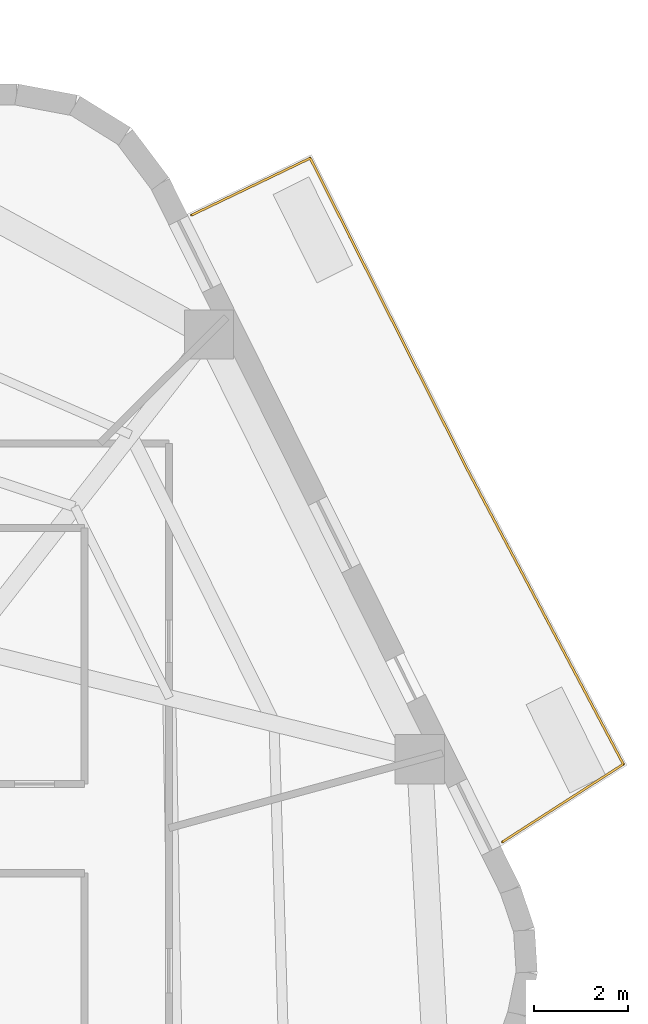
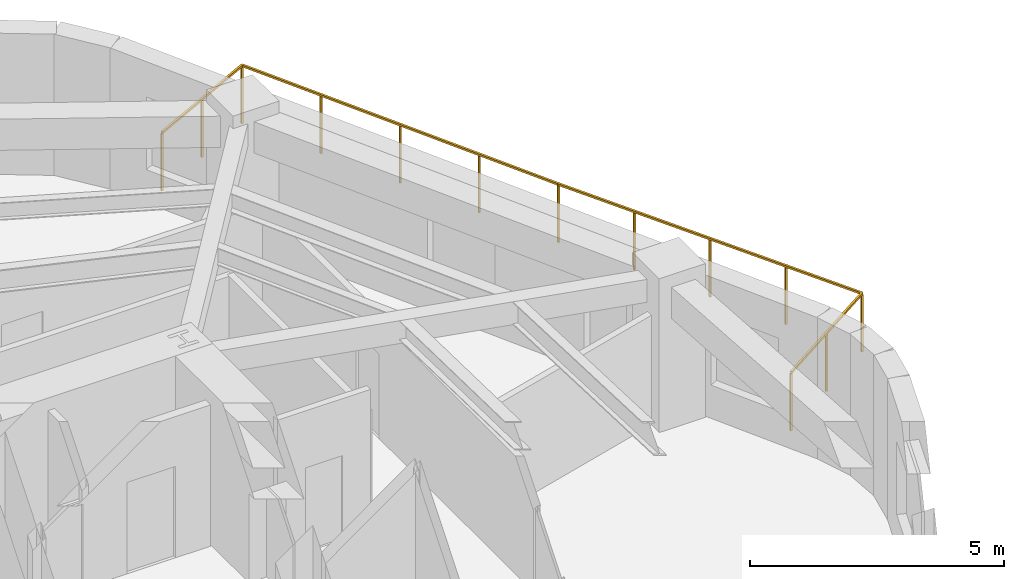
# One storey, part 10 of 10: 1 railing.
"""IFC4 building model written with IfcOpenShell, lengths in metres."""

from ifc_helpers import new_model, si_unit, direction, frame, origin, origin_2d, place, context, subcontext, project, spatial, rectangle, extrude, material, layer, layer_set, type_object, element, save


model = new_model("IFC4")

# Units and contexts
model_context = context("Model", 3, precision=1e-05, world=origin(), true_north=direction((0.0, 1.0)))
body_context = subcontext(model_context, "Body", "Model", "MODEL_VIEW")
ifc_project = project(units=[si_unit("LENGTHUNIT", "METRE"), si_unit("AREAUNIT", "SQUARE_METRE"), si_unit("VOLUMEUNIT", "CUBIC_METRE"), si_unit("PLANEANGLEUNIT", "RADIAN"), si_unit("MASSUNIT", "GRAM", prefix="KILO")], contexts=[model_context])

# Site, building, storey
site_placement = place(None, origin())
site = spatial("IfcSite", under=ifc_project, at=site_placement, CompositionType="ELEMENT")
building_placement = place(site_placement, origin())
building = spatial("IfcBuilding", under=site, at=building_placement, Name="Kilnhurst Terrace Hotel", CompositionType="ELEMENT")
storey_placement = place(building_placement, frame((0.0, 0.0, 155.39990234375)))
storey = spatial("IfcBuildingStorey", under=building, at=storey_placement, Name="L38", CompositionType="ELEMENT", Elevation=155.39990234375)

# Railing
ifc_material = material(Name="Laminated SentryGlas and Stainless Steel AISI 316L Balustrade", Category="steel")
ifc_layer = layer(ifc_material, 0.070068359375, Name="Laminated SentryGlas and Stainless Steel AISI 316L Balustrade")
ifc_layer_set = layer_set([ifc_layer], Name="Laminated SentryGlas and Stainless Steel AISI 316L Balustrade")
railing_type = type_object("IfcRailingType", Name="RLG-BAL-1420", PredefinedType="BALUSTRADE", material=ifc_layer_set)
railing_placement = place(storey_placement, frame((13.83544921875, 16.709716796875, 0.0)))
element("IfcRailing", 1, at=railing_placement, inside=storey, type_object=railing_type, Name="L38 Exterior Terrace Guardrail BAL-L1A.1", PredefinedType="BALUSTRADE", context=body_context, shape_type="SweptSolid", body=[
    extrude(rectangle(XDim=0.048095703125, YDim=0.048095703125, at=origin_2d()), frame((0.0, 0.0, 1.39599609375), z_axis=(0.901469931109, 0.43284173009, 0.0), x_axis=(-0.43284173009, 0.901469931109, 0.0)), (0.0, 0.0, 1.0), 2.797119140625),
    extrude(rectangle(XDim=0.048095703125, YDim=0.048095703125, at=origin_2d()), frame((2.521484375, 1.210693359375, 1.39599609375), z_axis=(0.450616671131, -0.892717545307, 0.0), x_axis=(0.892717545307, 0.450616671131, 0.0)), (0.0, 0.0, 1.0), 7.453857421875),
    extrude(rectangle(XDim=0.048095703125, YDim=0.048095703125, at=origin_2d()), frame((5.88037109375, -5.443603515625, 1.39599609375), z_axis=(0.4472135955, -0.894427191, 0.0), x_axis=(0.894427191, 0.4472135955, 0.0)), (0.0, 0.0, 1.0), 0.0009765625),
    extrude(rectangle(XDim=0.048095703125, YDim=0.048095703125, at=origin_2d()), frame((5.880859375, -5.444580078125, 1.39599609375), z_axis=(0.46789407085, -0.883784554325, 0.0), x_axis=(0.883784554325, 0.46789407085, 0.0)), (0.0, 0.0, 1.0), 7.0654296875),
    extrude(rectangle(XDim=0.048095703125, YDim=0.048095703125, at=origin_2d()), frame((9.186767578125, -11.68896484375, 1.39599609375), z_axis=(-0.841139546062, -0.540818143233, 0.0), x_axis=(0.540818143233, -0.841139546062, 0.0)), (0.0, 0.0, 1.0), 3.056640625),
    extrude(rectangle(XDim=0.0419921875, YDim=0.0419921875, at=origin_2d()), origin(), (0.0, 0.0, 1.0), 1.371826171875),
    extrude(rectangle(XDim=0.0419921875, YDim=0.0419921875, at=origin_2d()), frame((1.2607421875, 0.60546875, 0.0)), (0.0, 0.0, 1.0), 1.371826171875),
    extrude(rectangle(XDim=0.0419921875, YDim=0.0419921875, at=origin_2d()), frame((2.521484375, 1.210693359375, 0.0)), (0.0, 0.0, 1.0), 1.371826171875),
    extrude(rectangle(XDim=0.0419921875, YDim=0.0419921875, at=origin_2d()), frame((3.361328125, -0.452880859375, 0.0)), (0.0, 0.0, 1.0), 1.371826171875),
    extrude(rectangle(XDim=0.0419921875, YDim=0.0419921875, at=origin_2d()), frame((4.200927734375, -2.116455078125, 0.0)), (0.0, 0.0, 1.0), 1.371826171875),
    extrude(rectangle(XDim=0.0419921875, YDim=0.0419921875, at=origin_2d()), frame((5.04052734375, -3.780029296875, 0.0)), (0.0, 0.0, 1.0), 1.371826171875),
    extrude(rectangle(XDim=0.0419921875, YDim=0.0419921875, at=origin_2d()), frame((5.88037109375, -5.443603515625, 0.0)), (0.0, 0.0, 1.0), 1.371826171875),
    extrude(rectangle(XDim=0.0419921875, YDim=0.0419921875, at=origin_2d()), frame((5.880859375, -5.444580078125, 0.0)), (0.0, 0.0, 1.0), 1.371826171875),
    extrude(rectangle(XDim=0.0419921875, YDim=0.0419921875, at=origin_2d()), frame((6.707275390625, -7.005615234375, 0.0)), (0.0, 0.0, 1.0), 1.371826171875),
    extrude(rectangle(XDim=0.0419921875, YDim=0.0419921875, at=origin_2d()), frame((7.53369140625, -8.56689453125, 0.0)), (0.0, 0.0, 1.0), 1.371826171875),
    extrude(rectangle(XDim=0.0419921875, YDim=0.0419921875, at=origin_2d()), frame((8.3603515625, -10.1279296875, 0.0)), (0.0, 0.0, 1.0), 1.371826171875),
    extrude(rectangle(XDim=0.0419921875, YDim=0.0419921875, at=origin_2d()), frame((9.186767578125, -11.68896484375, 0.0)), (0.0, 0.0, 1.0), 1.371826171875),
    extrude(rectangle(XDim=0.0419921875, YDim=0.0419921875, at=origin_2d()), frame((7.9013671875, -12.515625, 0.0)), (0.0, 0.0, 1.0), 1.371826171875),
    extrude(rectangle(XDim=0.0419921875, YDim=0.0419921875, at=origin_2d()), frame((6.61572265625, -13.342041015625, 0.0)), (0.0, 0.0, 1.0), 1.371826171875),
])

save(model, "model.ifc")
